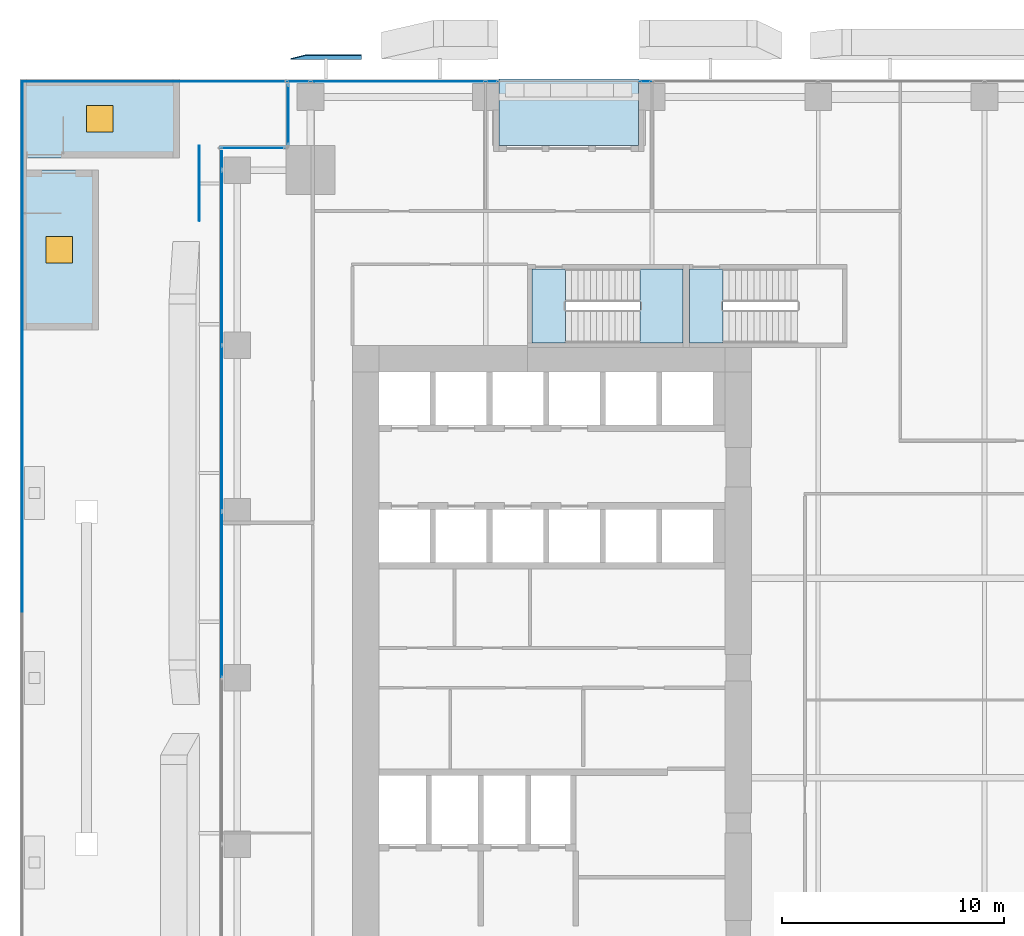
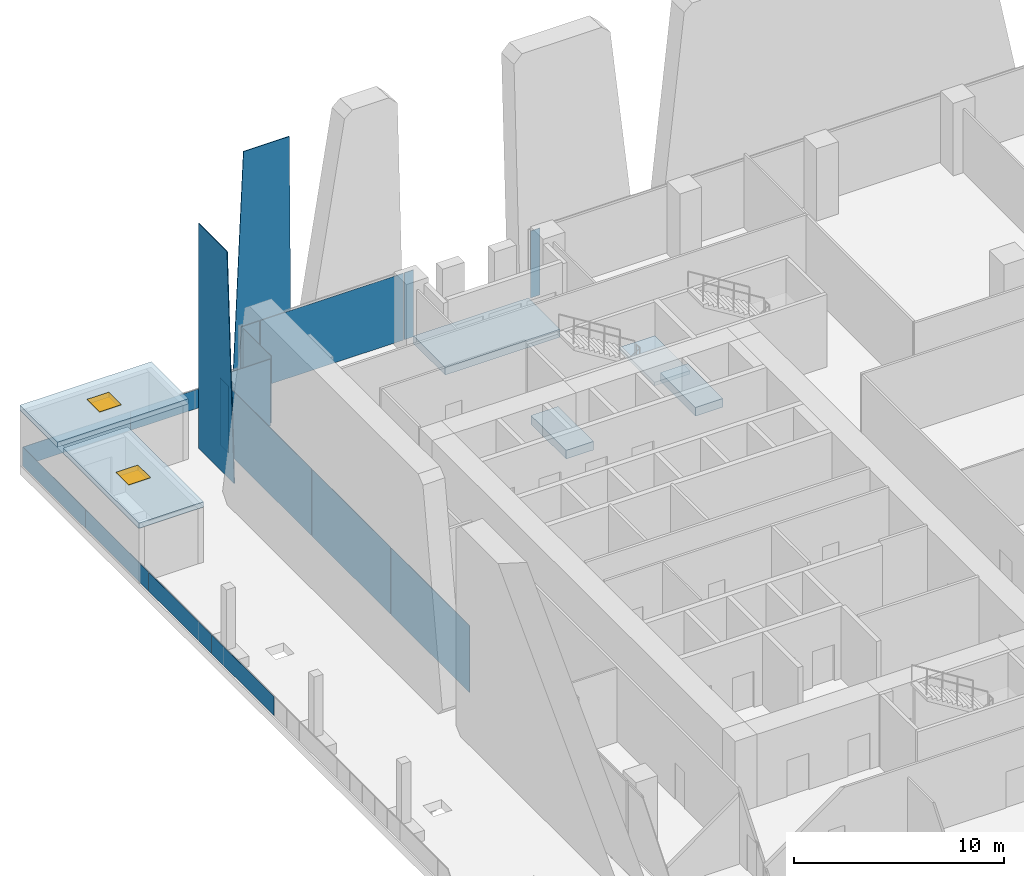
# One storey, part 30 of 46: 18 plates, 6 slabs, 2 windows, 2 openings, 6 elements without a shape of their own.
"""IFC4 building model written with IfcOpenShell, lengths in metres."""

from ifc_helpers import new_model, si_unit, direction, frame, origin, origin_2d, place, context, subcontext, project, spatial, polyline, rectangle, outline, extrude, source, transform, mapped, material, layer, layer_set, type_object, element, fill, aggregate, save


model = new_model("IFC4")

# Units and contexts
model_context = context("Model", 3, precision=1e-05, world=origin(), true_north=direction((0.0, 1.0)))
body_context = subcontext(model_context, "Body", "Model", "MODEL_VIEW")
ifc_project = project(units=[si_unit("LENGTHUNIT", "METRE"), si_unit("AREAUNIT", "SQUARE_METRE"), si_unit("VOLUMEUNIT", "CUBIC_METRE"), si_unit("PLANEANGLEUNIT", "RADIAN"), si_unit("MASSUNIT", "GRAM", prefix="KILO")], contexts=[model_context])

# Site, building, storey
site_placement = place(None, origin())
site = spatial("IfcSite", under=ifc_project, at=site_placement, CompositionType="ELEMENT")
building_placement = place(site_placement, origin())
building = spatial("IfcBuilding", under=site, at=building_placement, Name="Khomas Fold Tower", CompositionType="ELEMENT")
storey_placement = place(building_placement, frame((0.0, 0.0, 33.0)))
storey = spatial("IfcBuildingStorey", under=building, at=storey_placement, Name="L06", CompositionType="ELEMENT", Elevation=33.0)

# Plates
ifc_material_1 = material(Name="Clear laminated glass", Category="glass")
ifc_layer_1 = layer(ifc_material_1, 0.0400390625)
ifc_layer_set_1 = layer_set([ifc_layer_1], Name="Clear laminated glass")
plate_type_1 = type_object("IfcPlateType", Name="SK-Clear laminated glass leaf", PredefinedType="SHEET", material=ifc_layer_set_1)
plate_1_placement = place(storey_placement, frame((6.39990234375, 54.89990234375, 0.0), z_axis=(0.0, -0.999913527075, 0.013150603512), x_axis=(-1.0, 0.0, 0.0)))
element("IfcPlate", 1, at=plate_1_placement, inside=storey, type_object=plate_type_1, Name="OUTER SKIN glass L06 NG098-1", PredefinedType="SHEET", context=body_context, shape_type="SweptSolid", body=[
    extrude(outline(polyline([(0.0, 0.0), (3.19970703125, 0.0), (2.513671875, -13.051177401611568), (0.0, -13.051177401611568), (0.0, 0.0)])), origin(), (0.0, 0.0, -1.0), 0.0400390625),
])
plate_2_placement = place(storey_placement, frame((-0.93994140625, 47.600341796875, 0.0), z_axis=(-1.0, 0.0, 0.0), x_axis=(0.0, 0.052478427046, 0.998622057985)))
element("IfcPlate", 2, at=plate_2_placement, inside=storey, type_object=plate_type_1, Name="OUTER SKIN glass L06 WG107-2", PredefinedType="SHEET", context=body_context, shape_type="SweptSolid", body=[
    extrude(outline(polyline([(0.0, 0.0), (13.068055851333002, 0.0), (13.21047533254429, 2.7101276358800277), (0.17840871499345004, 3.3949736712512943), (0.0, 0.0)])), origin(), (0.0, 0.0, -1.0), 0.0400390625),
])

# Curtain wall, plate
ifc_material_2 = material(Name="Aluminium framed double glazing", Category="aluminium")
curtain_wall_type = type_object("IfcCurtainWallType", Name="SK-Unitised clear-glass wall, growing floors CW1", PredefinedType="NOTDEFINED", material=ifc_material_2)
curtain_wall_1_placement = place(storey_placement, origin())
curtain_wall_1 = element("IfcCurtainWall", 3, at=curtain_wall_1_placement, inside=storey, type_object=curtain_wall_type, Name="CW1 run L06 09-0", PredefinedType="NOTDEFINED")
ifc_material_3 = material(Name="Clear double glazed unit")
ifc_layer_2 = layer(ifc_material_3, 0.031982421875)
ifc_layer_set_2 = layer_set([ifc_layer_2], Name="Clear double glazed unit")
plate_type_2 = type_object("IfcPlateType", Name="SK-Unitised clear-glass wall, growing floors glass panel CW1-P", PredefinedType="CURTAIN_PANEL", material=ifc_layer_set_2)
shared_shape_1 = source(origin(), body_context, "Body", "SweptSolid", [
    extrude(rectangle(XDim=0.81005859375, YDim=0.031982421875, at=origin_2d()), origin(), (0.0, 0.0, 1.0), 3.8798828125),
])
plate_3_placement = place(storey_placement, frame((0.10009765625, 50.3349609375, 0.0), z_axis=(0.0, 0.0, 1.0), x_axis=(0.0, -1.0, 0.0)))
plate_3 = element("IfcPlate", 4, at=plate_3_placement, type_object=plate_type_2, Name="CW1 glass panel 1", PredefinedType="CURTAIN_PANEL", context=body_context, shape_type="MappedRepresentation", body=[
    mapped(shared_shape_1, transform((0.0, 0.0, 0.0))),
])

curtain_wall_2_placement = place(storey_placement, origin())
curtain_wall_2 = element("IfcCurtainWall", 5, at=curtain_wall_2_placement, inside=storey, type_object=curtain_wall_type, Name="CW1 run L06 06-1", PredefinedType="NOTDEFINED")
shared_shape_2 = source(origin(), body_context, "Body", "SweptSolid", [
    extrude(rectangle(XDim=7.840087890625, YDim=0.031982421875, at=origin_2d()), origin(), (0.0, 0.0, 1.0), 3.8798828125),
])
plate_4_placement = place(storey_placement, frame((8.050048828125, 53.89990234375, 0.0), z_axis=(0.0, 0.0, 1.0), x_axis=(-1.0, 0.0, 0.0)))
plate_4 = element("IfcPlate", 6, at=plate_4_placement, type_object=plate_type_2, Name="CW1 glass panel 2", PredefinedType="CURTAIN_PANEL", context=body_context, shape_type="MappedRepresentation", body=[
    mapped(shared_shape_2, transform((0.0, 0.0, 0.0))),
])

# Plate
plate_5_placement = place(storey_placement, frame((0.10009765625, 45.949951171875, 0.0), z_axis=(0.0, 0.0, 1.0), x_axis=(0.0, -1.0, 0.0)))
plate_5 = element("IfcPlate", 7, at=plate_5_placement, type_object=plate_type_2, Name="CW1 glass panel 2", PredefinedType="CURTAIN_PANEL", context=body_context, shape_type="MappedRepresentation", body=[
    mapped(shared_shape_2, transform((0.0, 0.0, 0.0))),
])

shared_shape_3 = source(origin(), body_context, "Body", "SweptSolid", [
    extrude(rectangle(XDim=7.43994140625, YDim=0.031982421875, at=origin_2d()), origin(), (0.0, 0.0, 1.0), 3.8798828125),
])
plate_6_placement = place(storey_placement, frame((0.10009765625, 38.25, 0.0), z_axis=(0.0, 0.0, 1.0), x_axis=(0.0, -1.0, 0.0)))
plate_6 = element("IfcPlate", 8, at=plate_6_placement, type_object=plate_type_2, Name="CW1 glass panel 3", PredefinedType="CURTAIN_PANEL", context=body_context, shape_type="MappedRepresentation", body=[
    mapped(shared_shape_3, transform((0.0, 0.0, 0.0))),
])

plate_7_placement = place(storey_placement, frame((0.10009765625, 30.75, 0.0), z_axis=(0.0, 0.0, 1.0), x_axis=(0.0, -1.0, 0.0)))
plate_7 = element("IfcPlate", 9, at=plate_7_placement, type_object=plate_type_2, Name="CW1 glass panel 4", PredefinedType="CURTAIN_PANEL", context=body_context, shape_type="MappedRepresentation", body=[
    mapped(shared_shape_3, transform((0.0, 0.0, 0.0))),
])

aggregate(curtain_wall_1, [plate_3, plate_5, plate_6, plate_7])

shared_shape_4 = source(origin(), body_context, "Body", "SweptSolid", [
    extrude(rectangle(XDim=1.010009765625, YDim=0.031982421875, at=origin_2d()), origin(), (0.0, 0.0, 1.0), 3.8798828125),
])
plate_8_placement = place(storey_placement, frame((3.56494140625, 53.89990234375, 0.0), z_axis=(0.0, 0.0, 1.0), x_axis=(-1.0, 0.0, 0.0)))
plate_8 = element("IfcPlate", 10, at=plate_8_placement, type_object=plate_type_2, Name="CW1 glass panel 3", PredefinedType="CURTAIN_PANEL", context=body_context, shape_type="MappedRepresentation", body=[
    mapped(shared_shape_4, transform((0.0, 0.0, 0.0))),
])

# Curtain wall, plate
curtain_wall_3_placement = place(storey_placement, origin())
curtain_wall_3 = element("IfcCurtainWall", 11, at=curtain_wall_3_placement, inside=storey, type_object=curtain_wall_type, Name="CW1 corner return L06 07", PredefinedType="NOTDEFINED")
shared_shape_5 = source(origin(), body_context, "Body", "SweptSolid", [
    extrude(rectangle(XDim=2.679931640625, YDim=0.031982421875, at=origin_2d()), origin(), (0.0, 0.0, 1.0), 3.8798828125),
])
plate_9_placement = place(storey_placement, frame((3.10009765625, 52.39990234375, 0.0), z_axis=(0.0, 0.0, 1.0), x_axis=(0.0, -1.0, 0.0)))
plate_9 = element("IfcPlate", 12, at=plate_9_placement, type_object=plate_type_2, Name="CW1 glass panel 1", PredefinedType="CURTAIN_PANEL", context=body_context, shape_type="MappedRepresentation", body=[
    mapped(shared_shape_5, transform((0.0, 0.0, 0.0))),
])
aggregate(curtain_wall_3, [plate_9])

curtain_wall_4_placement = place(storey_placement, origin())
curtain_wall_4 = element("IfcCurtainWall", 13, at=curtain_wall_4_placement, inside=storey, type_object=curtain_wall_type, Name="CW1 corner return L06 08", PredefinedType="NOTDEFINED")
shared_shape_6 = source(origin(), body_context, "Body", "SweptSolid", [
    extrude(rectangle(XDim=2.8798828125, YDim=0.031982421875, at=origin_2d()), origin(), (0.0, 0.0, 1.0), 3.8798828125),
])
plate_10_placement = place(storey_placement, frame((1.5, 50.89990234375, 0.0), z_axis=(0.0, 0.0, 1.0), x_axis=(-1.0, 0.0, 0.0)))
plate_10 = element("IfcPlate", 14, at=plate_10_placement, type_object=plate_type_2, Name="CW1 glass panel 1", PredefinedType="CURTAIN_PANEL", context=body_context, shape_type="MappedRepresentation", body=[
    mapped(shared_shape_6, transform((0.0, 0.0, 0.0))),
])
aggregate(curtain_wall_4, [plate_10])

curtain_wall_5_placement = place(storey_placement, origin())
curtain_wall_5 = element("IfcCurtainWall", 15, at=curtain_wall_5_placement, inside=storey, type_object=curtain_wall_type, Name="CW1 run L06 06-0", PredefinedType="NOTDEFINED")
shared_shape_7 = source(origin(), body_context, "Body", "SweptSolid", [
    extrude(rectangle(XDim=0.510009765625, YDim=0.031982421875, at=origin_2d()), origin(), (0.0, 0.0, 1.0), 3.8798828125),
])
plate_11_placement = place(storey_placement, frame((19.215087890625, 53.89990234375, 0.0), z_axis=(0.0, 0.0, 1.0), x_axis=(-1.0, 0.0, 0.0)))
plate_11 = element("IfcPlate", 16, at=plate_11_placement, type_object=plate_type_2, Name="CW1 glass panel 6", PredefinedType="CURTAIN_PANEL", context=body_context, shape_type="MappedRepresentation", body=[
    mapped(shared_shape_7, transform((0.0, 0.0, 0.0))),
])
aggregate(curtain_wall_5, [plate_11])

# Plate
plate_12_placement = place(storey_placement, frame((12.284912109375, 53.89990234375, 0.0), z_axis=(0.0, 0.0, 1.0), x_axis=(-1.0, 0.0, 0.0)))
plate_12 = element("IfcPlate", 17, at=plate_12_placement, type_object=plate_type_2, Name="CW1 glass panel 1", PredefinedType="CURTAIN_PANEL", context=body_context, shape_type="MappedRepresentation", body=[
    mapped(shared_shape_7, transform((0.0, 0.0, 0.0))),
])

aggregate(curtain_wall_2, [plate_12, plate_4, plate_8])

# Slab
ifc_material_4 = material(Name="Concrete C40/50", Category="concrete")
ifc_layer_3 = layer(ifc_material_4, 0.455078125)
ifc_layer_set_3 = layer_set([ifc_layer_3], Name="Concrete C40/50")
slab_type_1 = type_object("IfcSlabType", Name="BL-Balcony deck 455", PredefinedType="FLOOR", material=ifc_layer_set_3)
shared_shape_8 = source(origin(), body_context, "Body", "SweptSolid", [
    extrude(outline(polyline([(12.60009765625, 51.0), (18.89990234375, 51.0), (18.89990234375, 54.0), (12.60009765625, 54.0), (12.60009765625, 51.0)])), origin(), (0.0, 0.0, 1.0), 0.455078125),
])
slab_1_placement = place(storey_placement, frame((0.0, 0.0, -0.5)))
element("IfcSlab", 18, at=slab_1_placement, inside=storey, type_object=slab_type_1, Name="Balcony deck BAL-L06-N1", PredefinedType="FLOOR", context=body_context, shape_type="MappedRepresentation", body=[
    mapped(shared_shape_8, transform((0.0, 0.0, 0.0))),
])

# Plates
ifc_material_5 = material(Name="Laminated toughened glass", Category="glass")
ifc_layer_4 = layer(ifc_material_5, 0.030029296875)
ifc_layer_set_4 = layer_set([ifc_layer_4], Name="Laminated toughened glass")
plate_type_3 = type_object("IfcPlateType", Name="Guard glass infill GD-GI", PredefinedType="SHEET", material=ifc_layer_set_4)
shared_shape_9 = source(origin(), body_context, "Body", "SweptSolid", [
    extrude(rectangle(XDim=5.977783203125, YDim=0.030029296875, at=origin_2d()), origin(), (0.0, 0.0, 1.0), 1.10009765625),
])
for number, where, z_axis, x_axis, name in (
    (19, (-8.89990234375, 32.977783203125, 0.0), (0.0, 0.0, 1.0), (0.0, 1.0, 0.0), "Guard glass infill"),
    (20, (-8.89990234375, 38.95556640625, 0.0), (0.0, 0.0, 1.0), (0.0, 1.0, 0.0), "Guard glass infill"),
    (21, (-8.89990234375, 44.933349609375, 0.0), (0.0, 0.0, 1.0), (0.0, 1.0, 0.0), "Guard glass infill"),
    (22, (-8.89990234375, 50.9111328125, 0.0), (0.0, 0.0, 1.0), (0.0, 1.0, 0.0), "Guard glass infill"),
):
    element("IfcPlate", number, at=place(storey_placement, frame(where, z_axis=z_axis, x_axis=x_axis)), inside=storey, type_object=plate_type_3, Name=name, PredefinedType="SHEET", context=body_context, shape_type="MappedRepresentation", body=[
        mapped(shared_shape_9, transform((0.0, 0.0, 0.0))),
    ])
shared_shape_10 = source(origin(), body_context, "Body", "SweptSolid", [
    extrude(rectangle(XDim=5.89501953125, YDim=0.030029296875, at=origin_2d()), origin(), (0.0, 0.0, 1.0), 1.10009765625),
])
for number, where, z_axis, x_axis, name in (
    (23, (-5.952392578125, 53.89990234375, 0.0), (0.0, 0.0, 1.0), (1.0, 0.0, 0.0), "Guard glass infill"),
    (24, (-0.0576171875, 53.89990234375, 0.0), (0.0, 0.0, 1.0), (1.0, 0.0, 0.0), "Guard glass infill"),
):
    element("IfcPlate", number, at=place(storey_placement, frame(where, z_axis=z_axis, x_axis=x_axis)), inside=storey, type_object=plate_type_3, Name=name, PredefinedType="SHEET", context=body_context, shape_type="MappedRepresentation", body=[
        mapped(shared_shape_10, transform((0.0, 0.0, 0.0))),
    ])

# Slab, opening, window
ifc_material_6 = material(Name="Concrete C40/50", Category="concrete")
ifc_layer_5 = layer(ifc_material_6, 0.300048828125)
ifc_layer_set_5 = layer_set([ifc_layer_5], Name="Concrete C40/50")
slab_type_2 = type_object("IfcSlabType", Name="Stair head house roof slab PD-HR", PredefinedType="ROOF", material=ifc_layer_set_5)
shared_shape_11 = source(origin(), body_context, "Body", "SweptSolid", [
    extrude(outline(polyline([(-9.0, 50.449951171875), (-1.800048828125, 50.449951171875), (-1.800048828125, 54.0), (-9.0, 54.0), (-9.0, 50.449951171875)])), origin(), (0.0, 0.0, 1.0), 0.300048828125),
])
slab_2_placement = place(storey_placement, frame((0.0, 0.0, 3.199951171875)))
slab_2 = element("IfcSlab", 25, at=slab_2_placement, inside=storey, type_object=slab_type_2, Name="Stair head roof PS7", PredefinedType="ROOF", context=body_context, shape_type="MappedRepresentation", body=[
    mapped(shared_shape_11, transform((0.0, 0.0, 0.0))),
])
opening_1_placement = place(slab_2_placement, frame((-5.39990234375, 52.22509765625, 0.0)))
opening_1 = element("IfcOpeningElement", 26, at=opening_1_placement, cuts=slab_2, Name="Opening PD-SV", PredefinedType="OPENING", context=body_context, shape_type="SweptSolid", body=[
    extrude(rectangle(XDim=1.199951171875, YDim=1.199951171875, at=origin_2d()), origin(), (0.0, 0.0, 1.0), 0.300048828125),
])
ifc_material_7 = material(Name="Insulated aluminium", Category="aluminium")
window_type = type_object("IfcWindowType", Name="Stair smoke vent", PartitioningType="SINGLE_PANEL", PredefinedType="SKYLIGHT", material=ifc_material_7)
window_1_placement = place(opening_1_placement, frame((0.0, 0.0, 0.25)))
window_1 = element("IfcWindow", 27, at=window_1_placement, inside=storey, type_object=window_type, Name="Stair smoke vent PS7", OverallHeight=1.199951171875, OverallWidth=1.199951171875, PartitioningType="SINGLE_PANEL", PredefinedType="SKYLIGHT", context=body_context, shape_type="SweptSolid", body=[
    extrude(rectangle(XDim=1.199951171875, YDim=1.199951171875, at=origin_2d()), origin(), (0.0, 0.0, 1.0), 0.050048828125),
])
fill(opening_1, window_1)

shared_shape_12 = source(origin(), body_context, "Body", "SweptSolid", [
    extrude(outline(polyline([(-9.0, 42.699951171875), (-5.449951171875, 42.699951171875), (-5.449951171875, 49.89990234375), (-9.0, 49.89990234375), (-9.0, 42.699951171875)])), origin(), (0.0, 0.0, 1.0), 0.300048828125),
])
slab_3_placement = place(storey_placement, frame((0.0, 0.0, 3.199951171875)))
slab_3 = element("IfcSlab", 28, at=slab_3_placement, inside=storey, type_object=slab_type_2, Name="Stair head roof PS8", PredefinedType="ROOF", context=body_context, shape_type="MappedRepresentation", body=[
    mapped(shared_shape_12, transform((0.0, 0.0, 0.0))),
])
opening_2_placement = place(slab_3_placement, frame((-7.22509765625, 46.300048828125, 0.0)))
opening_2 = element("IfcOpeningElement", 29, at=opening_2_placement, cuts=slab_3, Name="Opening PD-SV", PredefinedType="OPENING", context=body_context, shape_type="SweptSolid", body=[
    extrude(rectangle(XDim=1.199951171875, YDim=1.199951171875, at=origin_2d()), origin(), (0.0, 0.0, 1.0), 0.300048828125),
])
window_2_placement = place(opening_2_placement, frame((0.0, 0.0, 0.25)))
window_2 = element("IfcWindow", 30, at=window_2_placement, inside=storey, type_object=window_type, Name="Stair smoke vent PS8", OverallHeight=1.199951171875, OverallWidth=1.199951171875, PartitioningType="SINGLE_PANEL", PredefinedType="SKYLIGHT", context=body_context, shape_type="SweptSolid", body=[
    extrude(rectangle(XDim=1.199951171875, YDim=1.199951171875, at=origin_2d()), origin(), (0.0, 0.0, 1.0), 0.050048828125),
])
fill(opening_2, window_2)

# Stair, slab
ifc_material_8 = material(Name="Concrete C40/50", Category="concrete")
stair_type = type_object("IfcStairType", Name="Stair ST1", PredefinedType="HALF_TURN_STAIR", material=ifc_material_8)
stair_placement = place(storey_placement, origin())
stair = element("IfcStair", 31, at=stair_placement, inside=storey, type_object=stair_type, Name="L06 ST1", PredefinedType="HALF_TURN_STAIR")
ifc_material_9 = material(Name="Concrete C40/50", Category="concrete")
ifc_layer_6 = layer(ifc_material_9, 0.199951171875)
ifc_layer_set_6 = layer_set([ifc_layer_6], Name="Concrete C40/50")
slab_type_3 = type_object("IfcSlabType", Name="Stair landing 200", PredefinedType="LANDING", material=ifc_layer_set_6)
shared_shape_13 = source(origin(), body_context, "Body", "SweptSolid", [
    extrude(outline(polyline([(18.9599609375, 42.10009765625), (20.89990234375, 42.10009765625), (20.89990234375, 45.449951171875), (18.9599609375, 45.449951171875), (18.9599609375, 42.10009765625)])), origin(), (0.0, 0.0, 1.0), 0.199951171875),
])
slab_4_placement = place(storey_placement, frame((0.0, 0.0, 2.050048828125)))
slab_4 = element("IfcSlab", 32, at=slab_4_placement, type_object=slab_type_3, Name="ST1 landing 1", PredefinedType="LANDING", context=body_context, shape_type="MappedRepresentation", body=[
    mapped(shared_shape_13, transform((0.0, 0.0, 0.0))),
])
aggregate(stair, [slab_4])

# Slabs
ifc_material_10 = material(Name="Concrete C40/50", Category="concrete")
ifc_layer_7 = layer(ifc_material_10, 0.5)
ifc_layer_set_7 = layer_set([ifc_layer_7], Name="Concrete C40/50")
slab_type_4 = type_object("IfcSlabType", Name="Stair floor landing 500", PredefinedType="LANDING", material=ifc_layer_set_7)
shared_shape_14 = source(origin(), body_context, "Body", "SweptSolid", [
    extrude(outline(polyline([(14.10009765625, 45.449951171875), (15.60009765625, 45.449951171875), (15.60009765625, 42.10009765625), (14.10009765625, 42.10009765625), (14.10009765625, 45.449951171875)])), origin(), (0.0, 0.0, 1.0), 0.5),
])
slab_5_placement = place(storey_placement, frame((0.0, 0.0, -0.5)))
element("IfcSlab", 33, at=slab_5_placement, inside=storey, type_object=slab_type_4, Name="ST1 floor landing", PredefinedType="LANDING", context=body_context, shape_type="MappedRepresentation", body=[
    mapped(shared_shape_14, transform((0.0, 0.0, 0.0))),
])
shared_shape_15 = source(origin(), body_context, "Body", "SweptSolid", [
    extrude(outline(polyline([(21.199951171875, 45.449951171875), (22.699951171875, 45.449951171875), (22.699951171875, 42.10009765625), (21.199951171875, 42.10009765625), (21.199951171875, 45.449951171875)])), origin(), (0.0, 0.0, 1.0), 0.5),
])
slab_6_placement = place(storey_placement, frame((0.0, 0.0, -0.5)))
element("IfcSlab", 34, at=slab_6_placement, inside=storey, type_object=slab_type_4, Name="ST3 floor landing", PredefinedType="LANDING", context=body_context, shape_type="MappedRepresentation", body=[
    mapped(shared_shape_15, transform((0.0, 0.0, 0.0))),
])

save(model, "model.ifc")
